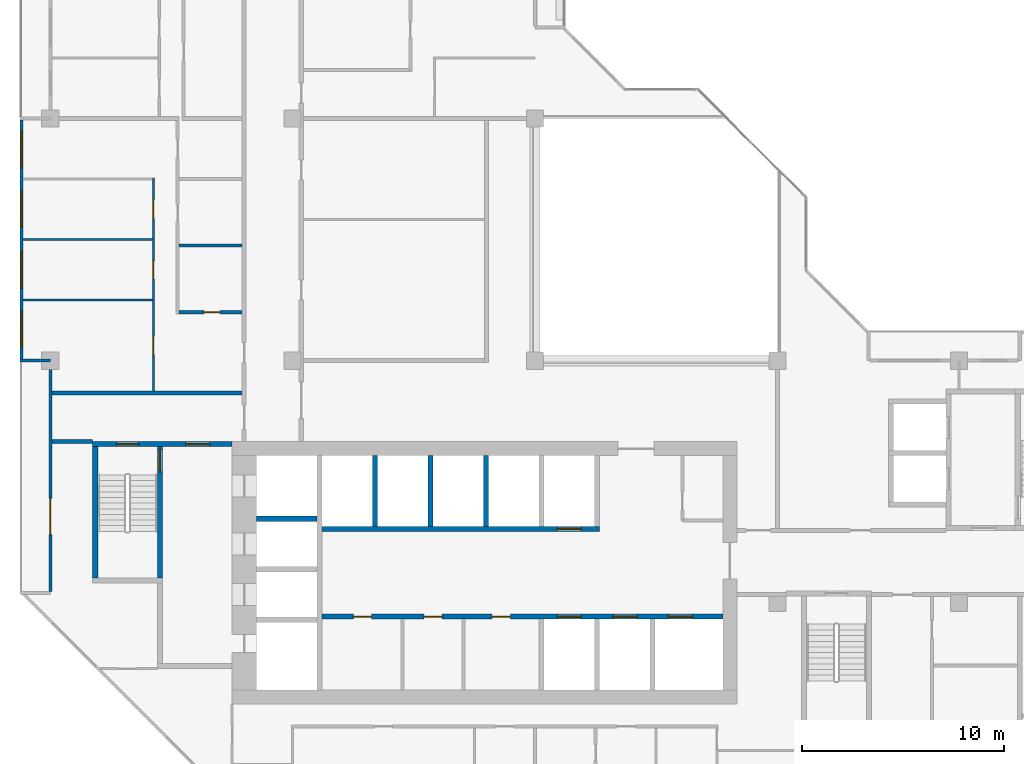
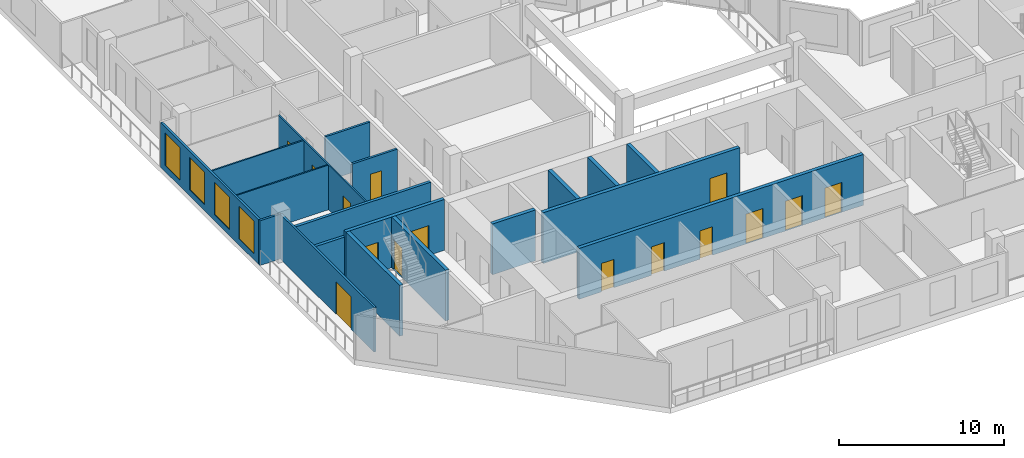
# One storey, part 5 of 15: 19 walls, 15 doors, 4 windows, 19 openings.
"""IFC4 building model written with IfcOpenShell, lengths in metres."""

from ifc_helpers import new_model, si_unit, direction, frame, frame_2d, origin, place, context, subcontext, project, spatial, rectangle, extrude, material, layer, layer_set, type_object, element, fill, save


model = new_model("IFC4")

# Units and contexts
model_context = context("Model", 3, precision=1e-05, world=origin(), true_north=direction((0.0, 1.0)))
body_context = subcontext(model_context, "Body", "Model", "MODEL_VIEW")
ifc_project = project(units=[si_unit("LENGTHUNIT", "METRE"), si_unit("AREAUNIT", "SQUARE_METRE"), si_unit("VOLUMEUNIT", "CUBIC_METRE"), si_unit("PLANEANGLEUNIT", "RADIAN"), si_unit("MASSUNIT", "GRAM", prefix="KILO")], contexts=[model_context])

# Site, building, storey
site_placement = place(None, origin())
site = spatial("IfcSite", under=ifc_project, at=site_placement, CompositionType="ELEMENT")
building_placement = place(site_placement, origin())
building = spatial("IfcBuilding", under=site, at=building_placement, Name="Chenar Terraces", CompositionType="ELEMENT")
storey_placement = place(building_placement, frame((0.0, 0.0, 252.89990234375)))
storey = spatial("IfcBuildingStorey", under=building, at=storey_placement, Name="L60", CompositionType="ELEMENT", Elevation=252.89990234375)

# Wall, openings, doors
ifc_material_1 = material(Name="Concrete C60/75", Category="concrete")
ifc_layer_1 = layer(ifc_material_1, 0.25)
ifc_layer_set_1 = layer_set([ifc_layer_1], Name="Concrete C60/75")
wall_type_1 = type_object("IfcWallType", Name="Core wall 250 Concrete C60/75", PredefinedType="SHEAR", material=ifc_layer_set_1)
wall_1_placement = place(storey_placement, frame((13.449951171875, 11.324951171875, 0.0), z_axis=(0.0, 0.0, 1.0), x_axis=(1.0, 0.0, 0.0)))
wall_1 = element("IfcWall", 1, at=wall_1_placement, inside=storey, type_object=wall_type_1, Name="Core wall SF L60", PredefinedType="SHEAR", context=body_context, shape_type="SweptSolid", body=[
    extrude(rectangle(XDim=19.85009765625, YDim=0.25, at=frame_2d((9.925048828125, 0.0))), origin(), (0.0, 0.0, 1.0), 3.75),
])
opening_1_placement = place(wall_1_placement, frame((11.64990234375, 0.0, 0.0)))
opening_1 = element("IfcOpeningElement", 2, at=opening_1_placement, cuts=wall_1, Name="Opening DL60-LD1", PredefinedType="OPENING", context=body_context, shape_type="SweptSolid", body=[
    extrude(rectangle(XDim=1.199951171875, YDim=2.199951171875, at=frame_2d((0.60009765625, 1.10009765625))), frame((0.0, 0.135009765625, 0.0), z_axis=(0.0, -1.0, 0.0), x_axis=(1.0, 0.0, 0.0)), (0.0, 0.0, 1.0), 0.27001953125),
])
opening_2_placement = place(wall_1_placement, frame((14.39990234375, 0.0, 0.0)))
opening_2 = element("IfcOpeningElement", 3, at=opening_2_placement, cuts=wall_1, Name="Opening DL60-LD2", PredefinedType="OPENING", context=body_context, shape_type="SweptSolid", body=[
    extrude(rectangle(XDim=1.199951171875, YDim=2.199951171875, at=frame_2d((0.60009765625, 1.10009765625))), frame((0.0, 0.135009765625, 0.0), z_axis=(0.0, -1.0, 0.0), x_axis=(1.0, 0.0, 0.0)), (0.0, 0.0, 1.0), 0.27001953125),
])
opening_3_placement = place(wall_1_placement, frame((17.14990234375, 0.0, 0.0)))
opening_3 = element("IfcOpeningElement", 4, at=opening_3_placement, cuts=wall_1, Name="Opening DL60-LD3", PredefinedType="OPENING", context=body_context, shape_type="SweptSolid", body=[
    extrude(rectangle(XDim=1.199951171875, YDim=2.199951171875, at=frame_2d((0.60009765625, 1.10009765625))), frame((0.0, 0.135009765625, 0.0), z_axis=(0.0, -1.0, 0.0), x_axis=(1.0, 0.0, 0.0)), (0.0, 0.0, 1.0), 0.27001953125),
])
opening_4_placement = place(wall_1_placement, frame((1.550048828125, 0.0, 0.0)))
opening_4 = element("IfcOpeningElement", 5, at=opening_4_placement, cuts=wall_1, Name="Opening DL60-C12", PredefinedType="OPENING", context=body_context, shape_type="SweptSolid", body=[
    extrude(rectangle(XDim=0.89990234375, YDim=2.10009765625, at=frame_2d((0.449951171875, 1.050048828125))), frame((0.0, 0.135009765625, 0.0), z_axis=(0.0, -1.0, 0.0), x_axis=(1.0, 0.0, 0.0)), (0.0, 0.0, 1.0), 0.27001953125),
])
opening_5_placement = place(wall_1_placement, frame((5.050048828125, 0.0, 0.0)))
opening_5 = element("IfcOpeningElement", 6, at=opening_5_placement, cuts=wall_1, Name="Opening DL60-C13", PredefinedType="OPENING", context=body_context, shape_type="SweptSolid", body=[
    extrude(rectangle(XDim=0.89990234375, YDim=2.10009765625, at=frame_2d((0.449951171875, 1.050048828125))), frame((0.0, 0.135009765625, 0.0), z_axis=(0.0, -1.0, 0.0), x_axis=(1.0, 0.0, 0.0)), (0.0, 0.0, 1.0), 0.27001953125),
])
opening_6_placement = place(wall_1_placement, frame((8.425048828125, 0.0, 0.0)))
opening_6 = element("IfcOpeningElement", 7, at=opening_6_placement, cuts=wall_1, Name="Opening DL60-C14", PredefinedType="OPENING", context=body_context, shape_type="SweptSolid", body=[
    extrude(rectangle(XDim=0.89990234375, YDim=2.10009765625, at=frame_2d((0.449951171875, 1.050048828125))), frame((0.0, 0.135009765625, 0.0), z_axis=(0.0, -1.0, 0.0), x_axis=(1.0, 0.0, 0.0)), (0.0, 0.0, 1.0), 0.27001953125),
])
ifc_material_2 = material(Name="Stainless steel", Category="steel")
door_type_1 = type_object("IfcDoorType", Name="Lift landing door 1200 x 2200 sliding", OperationType="DOUBLE_DOOR_SLIDING", PredefinedType="DOOR", material=ifc_material_2)
door_1_placement = place(opening_1_placement, origin())
door_1 = element("IfcDoor", 8, at=door_1_placement, inside=storey, type_object=door_type_1, Name="Landing door M1", OperationType="DOUBLE_DOOR_SLIDING", OverallHeight=2.199951171875, OverallWidth=1.199951171875, PredefinedType="DOOR", context=body_context, shape_type="SweptSolid", body=[
    extrude(rectangle(XDim=1.199951171875, YDim=2.199951171875, at=frame_2d((0.60009765625, 1.10009765625))), frame((0.0, 0.02490234375, 0.0), z_axis=(0.0, -1.0, 0.0), x_axis=(1.0, 0.0, 0.0)), (0.0, 0.0, 1.0), 0.050048828125),
])
fill(opening_1, door_1)
door_2_placement = place(opening_2_placement, origin())
door_2 = element("IfcDoor", 9, at=door_2_placement, inside=storey, type_object=door_type_1, Name="Landing door M2", OperationType="DOUBLE_DOOR_SLIDING", OverallHeight=2.199951171875, OverallWidth=1.199951171875, PredefinedType="DOOR", context=body_context, shape_type="SweptSolid", body=[
    extrude(rectangle(XDim=1.199951171875, YDim=2.199951171875, at=frame_2d((0.60009765625, 1.10009765625))), frame((0.0, 0.02490234375, 0.0), z_axis=(0.0, -1.0, 0.0), x_axis=(1.0, 0.0, 0.0)), (0.0, 0.0, 1.0), 0.050048828125),
])
fill(opening_2, door_2)
door_3_placement = place(opening_3_placement, origin())
door_3 = element("IfcDoor", 10, at=door_3_placement, inside=storey, type_object=door_type_1, Name="Landing door M3", OperationType="DOUBLE_DOOR_SLIDING", OverallHeight=2.199951171875, OverallWidth=1.199951171875, PredefinedType="DOOR", context=body_context, shape_type="SweptSolid", body=[
    extrude(rectangle(XDim=1.199951171875, YDim=2.199951171875, at=frame_2d((0.60009765625, 1.10009765625))), frame((0.0, 0.02490234375, 0.0), z_axis=(0.0, -1.0, 0.0), x_axis=(1.0, 0.0, 0.0)), (0.0, 0.0, 1.0), 0.050048828125),
])
fill(opening_3, door_3)
ifc_material_3 = material(Name="Steel-framed fire-resisting door leaf", Category="steel")
door_type_2 = type_object("IfcDoorType", Name="Riser fire door FD60 900 x 2100", OperationType="SINGLE_SWING_LEFT", PredefinedType="DOOR", material=ifc_material_3)
door_4_placement = place(opening_4_placement, frame((0.89990234375, 0.0, 0.0), z_axis=(0.0, 0.0, 1.0), x_axis=(-1.0, 0.0, 0.0)))
door_4 = element("IfcDoor", 11, at=door_4_placement, inside=storey, type_object=door_type_2, Name="Core room door DL60-C12", OperationType="SINGLE_SWING_LEFT", OverallHeight=2.10009765625, OverallWidth=0.89990234375, PredefinedType="DOOR", context=body_context, shape_type="SweptSolid", body=[
    extrude(rectangle(XDim=0.89990234375, YDim=2.10009765625, at=frame_2d((0.449951171875, 1.050048828125))), frame((0.0, 0.02490234375, 0.0), z_axis=(0.0, -1.0, 0.0), x_axis=(1.0, 0.0, 0.0)), (0.0, 0.0, 1.0), 0.050048828125),
])
fill(opening_4, door_4)
door_5_placement = place(opening_5_placement, frame((0.89990234375, 0.0, 0.0), z_axis=(0.0, 0.0, 1.0), x_axis=(-1.0, 0.0, 0.0)))
door_5 = element("IfcDoor", 12, at=door_5_placement, inside=storey, type_object=door_type_2, Name="Core room door DL60-C13", OperationType="SINGLE_SWING_LEFT", OverallHeight=2.10009765625, OverallWidth=0.89990234375, PredefinedType="DOOR", context=body_context, shape_type="SweptSolid", body=[
    extrude(rectangle(XDim=0.89990234375, YDim=2.10009765625, at=frame_2d((0.449951171875, 1.050048828125))), frame((0.0, 0.02490234375, 0.0), z_axis=(0.0, -1.0, 0.0), x_axis=(1.0, 0.0, 0.0)), (0.0, 0.0, 1.0), 0.050048828125),
])
fill(opening_5, door_5)
door_6_placement = place(opening_6_placement, frame((0.89990234375, 0.0, 0.0), z_axis=(0.0, 0.0, 1.0), x_axis=(-1.0, 0.0, 0.0)))
door_6 = element("IfcDoor", 13, at=door_6_placement, inside=storey, type_object=door_type_2, Name="Core room door DL60-C14", OperationType="SINGLE_SWING_RIGHT", OverallHeight=2.10009765625, OverallWidth=0.89990234375, PredefinedType="DOOR", context=body_context, shape_type="SweptSolid", body=[
    extrude(rectangle(XDim=0.89990234375, YDim=2.10009765625, at=frame_2d((0.449951171875, 1.050048828125))), frame((0.0, 0.02490234375, 0.0), z_axis=(0.0, -1.0, 0.0), x_axis=(1.0, 0.0, 0.0)), (0.0, 0.0, 1.0), 0.050048828125),
])
fill(opening_6, door_6)

# Wall, opening, door
wall_2_placement = place(storey_placement, frame((13.449951171875, 15.675048828125, 0.0), z_axis=(0.0, 0.0, 1.0), x_axis=(1.0, 0.0, 0.0)))
wall_2 = element("IfcWall", 14, at=wall_2_placement, inside=storey, type_object=wall_type_1, Name="Core wall NF L60", PredefinedType="SHEAR", context=body_context, shape_type="SweptSolid", body=[
    extrude(rectangle(XDim=13.75, YDim=0.25, at=frame_2d((6.875, 0.0))), origin(), (0.0, 0.0, 1.0), 3.75),
])
opening_7_placement = place(wall_2_placement, frame((11.64990234375, 0.0, 0.0)))
opening_7 = element("IfcOpeningElement", 15, at=opening_7_placement, cuts=wall_2, Name="Opening DL60-LD4", PredefinedType="OPENING", context=body_context, shape_type="SweptSolid", body=[
    extrude(rectangle(XDim=1.199951171875, YDim=2.199951171875, at=frame_2d((0.60009765625, 1.10009765625))), frame((0.0, 0.135009765625, 0.0), z_axis=(0.0, -1.0, 0.0), x_axis=(1.0, 0.0, 0.0)), (0.0, 0.0, 1.0), 0.27001953125),
])
door_7_placement = place(opening_7_placement, origin())
door_7 = element("IfcDoor", 16, at=door_7_placement, inside=storey, type_object=door_type_1, Name="Landing door M4", OperationType="DOUBLE_DOOR_SLIDING", OverallHeight=2.199951171875, OverallWidth=1.199951171875, PredefinedType="DOOR", context=body_context, shape_type="SweptSolid", body=[
    extrude(rectangle(XDim=1.199951171875, YDim=2.199951171875, at=frame_2d((0.60009765625, 1.10009765625))), frame((0.0, 0.02490234375, 0.0), z_axis=(0.0, -1.0, 0.0), x_axis=(1.0, 0.0, 0.0)), (0.0, 0.0, 1.0), 0.050048828125),
])
fill(opening_7, door_7)

# Walls
wall_3_placement = place(storey_placement, frame((10.199951171875, 16.175048828125, 0.0), z_axis=(0.0, 0.0, 1.0), x_axis=(1.0, 0.0, 0.0)))
element("IfcWall", 17, at=wall_3_placement, inside=storey, type_object=wall_type_1, Name="Core wall HW2 L60", PredefinedType="SHEAR", context=body_context, shape_type="SweptSolid", body=[
    extrude(rectangle(XDim=3.0, YDim=0.25, at=frame_2d((1.5, 0.0))), origin(), (0.0, 0.0, 1.0), 3.75),
])
for number, where, z_axis, x_axis, name in (
    (18, (16.074951171875, 15.800048828125, 0.0), (0.0, 0.0, 1.0), (0.0, 1.0, 0.0), "Core wall NS0 L60"),
    (19, (18.824951171875, 15.800048828125, 0.0), (0.0, 0.0, 1.0), (0.0, 1.0, 0.0), "Core wall NS1 L60"),
    (20, (21.574951171875, 15.800048828125, 0.0), (0.0, 0.0, 1.0), (0.0, 1.0, 0.0), "Core wall NS2 L60"),
):
    element("IfcWall", number, at=place(storey_placement, frame(where, z_axis=z_axis, x_axis=x_axis)), inside=storey, type_object=wall_type_1, Name=name, PredefinedType="SHEAR", context=body_context, shape_type="SweptSolid", body=[
        extrude(rectangle(XDim=3.5, YDim=0.25, at=frame_2d((1.75, 0.0))), origin(), (0.0, 0.0, 1.0), 3.75),
    ])

# Wall, openings, doors
wall_4_placement = place(storey_placement, frame((2.10009765625, 19.875, 0.0), z_axis=(0.0, 0.0, 1.0), x_axis=(1.0, 0.0, 0.0)))
wall_4 = element("IfcWall", 21, at=wall_4_placement, inside=storey, type_object=wall_type_1, Name="Core wall A_N L60", PredefinedType="SHEAR", context=body_context, shape_type="SweptSolid", body=[
    extrude(rectangle(XDim=6.89990234375, YDim=0.25, at=frame_2d((3.449951171875, 0.0))), origin(), (0.0, 0.0, 1.0), 3.75),
])
opening_8_placement = place(wall_4_placement, frame((1.175048828125, 0.0, 0.0)))
opening_8 = element("IfcOpeningElement", 22, at=opening_8_placement, cuts=wall_4, Name="Opening DL60-C5", PredefinedType="OPENING", context=body_context, shape_type="SweptSolid", body=[
    extrude(rectangle(XDim=1.10009765625, YDim=2.199951171875, at=frame_2d((0.550048828125, 1.10009765625))), frame((0.0, 0.135009765625, 0.0), z_axis=(0.0, -1.0, 0.0), x_axis=(1.0, 0.0, 0.0)), (0.0, 0.0, 1.0), 0.27001953125),
])
opening_9_placement = place(wall_4_placement, frame((4.60009765625, 0.0, 0.0)))
opening_9 = element("IfcOpeningElement", 23, at=opening_9_placement, cuts=wall_4, Name="Opening DL60-C6", PredefinedType="OPENING", context=body_context, shape_type="SweptSolid", body=[
    extrude(rectangle(XDim=1.199951171875, YDim=2.199951171875, at=frame_2d((0.60009765625, 1.10009765625))), frame((0.0, 0.135009765625, 0.0), z_axis=(0.0, -1.0, 0.0), x_axis=(1.0, 0.0, 0.0)), (0.0, 0.0, 1.0), 0.27001953125),
])
ifc_material_4 = material(Name="Steel-framed fire-resisting door leaf", Category="steel")
door_type_3 = type_object("IfcDoorType", Name="Lobby fire door FD60 1200 x 2200", OperationType="SINGLE_SWING_LEFT", PredefinedType="DOOR", material=ifc_material_4)
door_8_placement = place(opening_9_placement, frame((1.199951171875, 0.0, 0.0), z_axis=(0.0, 0.0, 1.0), x_axis=(-1.0, 0.0, 0.0)))
door_8 = element("IfcDoor", 24, at=door_8_placement, inside=storey, type_object=door_type_3, Name="Core door DL60-C6", OperationType="SINGLE_SWING_LEFT", OverallHeight=2.199951171875, OverallWidth=1.199951171875, PredefinedType="DOOR", context=body_context, shape_type="SweptSolid", body=[
    extrude(rectangle(XDim=1.199951171875, YDim=2.199951171875, at=frame_2d((0.60009765625, 1.10009765625))), frame((0.0, 0.02490234375, 0.0), z_axis=(0.0, -1.0, 0.0), x_axis=(1.0, 0.0, 0.0)), (0.0, 0.0, 1.0), 0.050048828125),
])
fill(opening_9, door_8)
ifc_material_5 = material(Name="Steel-framed fire-resisting door leaf", Category="steel")
door_type_4 = type_object("IfcDoorType", Name="Stair fire door FD60 1100 x 2200", OperationType="SINGLE_SWING_LEFT", PredefinedType="DOOR", material=ifc_material_5)
door_9_placement = place(opening_8_placement, origin())
door_9 = element("IfcDoor", 25, at=door_9_placement, inside=storey, type_object=door_type_4, Name="Stair door DL60-C5", OperationType="SINGLE_SWING_LEFT", OverallHeight=2.199951171875, OverallWidth=1.10009765625, PredefinedType="DOOR", context=body_context, shape_type="SweptSolid", body=[
    extrude(rectangle(XDim=1.10009765625, YDim=2.199951171875, at=frame_2d((0.550048828125, 1.10009765625))), frame((0.0, 0.02490234375, 0.0), z_axis=(0.0, -1.0, 0.0), x_axis=(1.0, 0.0, 0.0)), (0.0, 0.0, 1.0), 0.050048828125),
])
fill(opening_8, door_9)

# Wall
wall_5_placement = place(storey_placement, frame((2.22509765625, 13.25, 0.0), z_axis=(0.0, 0.0, 1.0), x_axis=(0.0, 1.0, 0.0)))
element("IfcWall", 26, at=wall_5_placement, inside=storey, type_object=wall_type_1, Name="Core wall ST1_W L60", PredefinedType="SHEAR", context=body_context, shape_type="SweptSolid", body=[
    extrude(rectangle(XDim=6.5, YDim=0.25, at=frame_2d((3.25, 0.0))), origin(), (0.0, 0.0, 1.0), 3.75),
])

# Wall, opening, door
wall_6_placement = place(storey_placement, frame((5.425048828125, 13.25, 0.0), z_axis=(0.0, 0.0, 1.0), x_axis=(0.0, 1.0, 0.0)))
wall_6 = element("IfcWall", 27, at=wall_6_placement, inside=storey, type_object=wall_type_1, Name="Core wall ST1_E L60", PredefinedType="SHEAR", context=body_context, shape_type="SweptSolid", body=[
    extrude(rectangle(XDim=6.5, YDim=0.25, at=frame_2d((3.25, 0.0))), origin(), (0.0, 0.0, 1.0), 3.75),
])
opening_10_placement = place(wall_6_placement, frame((5.25, 0.0, 0.0)))
opening_10 = element("IfcOpeningElement", 28, at=opening_10_placement, cuts=wall_6, Name="Opening DL60-C3", PredefinedType="OPENING", context=body_context, shape_type="SweptSolid", body=[
    extrude(rectangle(XDim=1.10009765625, YDim=2.199951171875, at=frame_2d((0.550048828125, 1.10009765625))), frame((0.0, 0.135009765625, 0.0), z_axis=(0.0, -1.0, 0.0), x_axis=(1.0, 0.0, 0.0)), (0.0, 0.0, 1.0), 0.27001953125),
])
door_10_placement = place(opening_10_placement, origin())
door_10 = element("IfcDoor", 29, at=door_10_placement, inside=storey, type_object=door_type_4, Name="Stair door DL60-C3", OperationType="SINGLE_SWING_RIGHT", OverallHeight=2.199951171875, OverallWidth=1.10009765625, PredefinedType="DOOR", context=body_context, shape_type="SweptSolid", body=[
    extrude(rectangle(XDim=1.10009765625, YDim=2.199951171875, at=frame_2d((0.550048828125, 1.10009765625))), frame((0.0, 0.02490234375, 0.0), z_axis=(0.0, -1.0, 0.0), x_axis=(1.0, 0.0, 0.0)), (0.0, 0.0, 1.0), 0.050048828125),
])
fill(opening_10, door_10)

# Walls
ifc_material_6 = material(Name="Gypsum board on steel studs with fire boards", Category="steel")
ifc_layer_2 = layer(ifc_material_6, 0.199951171875)
ifc_layer_set_2 = layer_set([ifc_layer_2], Name="Gypsum board on steel studs with fire boards")
wall_type_2 = type_object("IfcWallType", Name="Corridor wall 200", PredefinedType="PARTITIONING", material=ifc_layer_set_2)
wall_7_placement = place(storey_placement, frame((0.073974609375, 20.0, 0.0), z_axis=(0.0, 0.0, 1.0), x_axis=(1.0, 0.0, 0.0)))
element("IfcWall", 30, at=wall_7_placement, inside=storey, type_object=wall_type_2, Name="Partition L60-008", PredefinedType="PARTITIONING", context=body_context, shape_type="SweptSolid", body=[
    extrude(rectangle(XDim=2.026123046875, YDim=0.199951171875, at=frame_2d((1.01318359375, 0.0))), origin(), (0.0, 0.0, 1.0), 3.300048828125),
])
wall_8_placement = place(storey_placement, frame((0.073974609375, 22.39990234375, 0.0), z_axis=(0.0, 0.0, 1.0), x_axis=(1.0, 0.0, 0.0)))
element("IfcWall", 31, at=wall_8_placement, inside=storey, type_object=wall_type_2, Name="Partition L60-009", PredefinedType="PARTITIONING", context=body_context, shape_type="SweptSolid", body=[
    extrude(rectangle(XDim=9.426025390625, YDim=0.199951171875, at=frame_2d((4.712890625, 0.0))), origin(), (0.0, 0.0, 1.0), 3.300048828125),
])

# Wall, openings, windows
ifc_material_7 = material(Name="Aluminium framed glazing", Category="aluminium")
ifc_layer_3 = layer(ifc_material_7, 0.14990234375)
ifc_layer_set_3 = layer_set([ifc_layer_3], Name="Aluminium framed glazing")
wall_type_3 = type_object("IfcWallType", Name="Glazed flush facade wall 150", PredefinedType="SOLIDWALL", material=ifc_layer_set_3)
wall_9_placement = place(storey_placement, frame((-1.425048828125, 35.925048828125, 0.0), z_axis=(0.0, 0.0, 1.0), x_axis=(0.0, -1.0, 0.0)))
wall_9 = element("IfcWall", 32, at=wall_9_placement, inside=storey, type_object=wall_type_3, Name="Glazed flush facade wall", PredefinedType="SOLIDWALL", context=body_context, shape_type="SweptSolid", body=[
    extrude(rectangle(XDim=11.85009765625, YDim=0.14990234375, at=frame_2d((5.925048828125, 0.0))), origin(), (0.0, 0.0, 1.0), 3.300048828125),
])
opening_11_placement = place(wall_9_placement, frame((0.5625, 0.0, 0.449951171875)))
opening_11 = element("IfcOpeningElement", 33, at=opening_11_placement, cuts=wall_9, Name="Opening W180x240", PredefinedType="OPENING", context=body_context, shape_type="SweptSolid", body=[
    extrude(rectangle(XDim=1.800048828125, YDim=2.39990234375, at=frame_2d((0.89990234375, 1.199951171875))), frame((0.0, 0.0849609375, 0.0), z_axis=(0.0, -1.0, 0.0), x_axis=(1.0, 0.0, 0.0)), (0.0, 0.0, 1.0), 0.169921875),
])
opening_12_placement = place(wall_9_placement, frame((3.52490234375, 0.0, 0.449951171875)))
opening_12 = element("IfcOpeningElement", 34, at=opening_12_placement, cuts=wall_9, Name="Opening W180x240", PredefinedType="OPENING", context=body_context, shape_type="SweptSolid", body=[
    extrude(rectangle(XDim=1.800048828125, YDim=2.39990234375, at=frame_2d((0.89990234375, 1.199951171875))), frame((0.0, 0.0849609375, 0.0), z_axis=(0.0, -1.0, 0.0), x_axis=(1.0, 0.0, 0.0)), (0.0, 0.0, 1.0), 0.169921875),
])
opening_13_placement = place(wall_9_placement, frame((6.52490234375, 0.0, 0.449951171875)))
opening_13 = element("IfcOpeningElement", 35, at=opening_13_placement, cuts=wall_9, Name="Opening W180x240", PredefinedType="OPENING", context=body_context, shape_type="SweptSolid", body=[
    extrude(rectangle(XDim=1.800048828125, YDim=2.39990234375, at=frame_2d((0.89990234375, 1.199951171875))), frame((0.0, 0.0849609375, 0.0), z_axis=(0.0, -1.0, 0.0), x_axis=(1.0, 0.0, 0.0)), (0.0, 0.0, 1.0), 0.169921875),
])
opening_14_placement = place(wall_9_placement, frame((9.487548828125, 0.0, 0.449951171875)))
opening_14 = element("IfcOpeningElement", 36, at=opening_14_placement, cuts=wall_9, Name="Opening W180x240", PredefinedType="OPENING", context=body_context, shape_type="SweptSolid", body=[
    extrude(rectangle(XDim=1.800048828125, YDim=2.39990234375, at=frame_2d((0.89990234375, 1.199951171875))), frame((0.0, 0.0849609375, 0.0), z_axis=(0.0, -1.0, 0.0), x_axis=(1.0, 0.0, 0.0)), (0.0, 0.0, 1.0), 0.169921875),
])
ifc_material_8 = material(Name="Low emissivity double glazing, aluminium frame", Category="aluminium")
window_type = type_object("IfcWindowType", Name="Fixed light 1800 x 2400", PartitioningType="SINGLE_PANEL", PredefinedType="WINDOW", material=ifc_material_8)
window_1_placement = place(opening_11_placement, origin())
window_1 = element("IfcWindow", 37, at=window_1_placement, inside=storey, type_object=window_type, Name="Window", OverallHeight=2.39990234375, OverallWidth=1.800048828125, PartitioningType="SINGLE_PANEL", PredefinedType="WINDOW", context=body_context, shape_type="SweptSolid", body=[
    extrude(rectangle(XDim=1.800048828125, YDim=2.39990234375, at=frame_2d((0.89990234375, 1.199951171875))), frame((0.0, 0.030029296875, 0.0), z_axis=(0.0, -1.0, 0.0), x_axis=(1.0, 0.0, 0.0)), (0.0, 0.0, 1.0), 0.06005859375),
])
fill(opening_11, window_1)
window_2_placement = place(opening_12_placement, origin())
window_2 = element("IfcWindow", 38, at=window_2_placement, inside=storey, type_object=window_type, Name="Window", OverallHeight=2.39990234375, OverallWidth=1.800048828125, PartitioningType="SINGLE_PANEL", PredefinedType="WINDOW", context=body_context, shape_type="SweptSolid", body=[
    extrude(rectangle(XDim=1.800048828125, YDim=2.39990234375, at=frame_2d((0.89990234375, 1.199951171875))), frame((0.0, 0.030029296875, 0.0), z_axis=(0.0, -1.0, 0.0), x_axis=(1.0, 0.0, 0.0)), (0.0, 0.0, 1.0), 0.06005859375),
])
fill(opening_12, window_2)
window_3_placement = place(opening_13_placement, origin())
window_3 = element("IfcWindow", 39, at=window_3_placement, inside=storey, type_object=window_type, Name="Window", OverallHeight=2.39990234375, OverallWidth=1.800048828125, PartitioningType="SINGLE_PANEL", PredefinedType="WINDOW", context=body_context, shape_type="SweptSolid", body=[
    extrude(rectangle(XDim=1.800048828125, YDim=2.39990234375, at=frame_2d((0.89990234375, 1.199951171875))), frame((0.0, 0.030029296875, 0.0), z_axis=(0.0, -1.0, 0.0), x_axis=(1.0, 0.0, 0.0)), (0.0, 0.0, 1.0), 0.06005859375),
])
fill(opening_13, window_3)
window_4_placement = place(opening_14_placement, origin())
window_4 = element("IfcWindow", 40, at=window_4_placement, inside=storey, type_object=window_type, Name="Window", OverallHeight=2.39990234375, OverallWidth=1.800048828125, PartitioningType="SINGLE_PANEL", PredefinedType="WINDOW", context=body_context, shape_type="SweptSolid", body=[
    extrude(rectangle(XDim=1.800048828125, YDim=2.39990234375, at=frame_2d((0.89990234375, 1.199951171875))), frame((0.0, 0.030029296875, 0.0), z_axis=(0.0, -1.0, 0.0), x_axis=(1.0, 0.0, 0.0)), (0.0, 0.0, 1.0), 0.06005859375),
])
fill(opening_14, window_4)

# Wall, opening, door
ifc_material_9 = material(Name="Aluminium framed glazing", Category="aluminium")
ifc_layer_4 = layer(ifc_material_9, 0.14990234375)
ifc_layer_set_4 = layer_set([ifc_layer_4], Name="Aluminium framed glazing")
wall_type_4 = type_object("IfcWallType", Name="Glazed loggia back wall 150", PredefinedType="SOLIDWALL", material=ifc_layer_set_4)
wall_10_placement = place(storey_placement, frame((0.0, 23.925048828125, 0.0), z_axis=(0.0, 0.0, 1.0), x_axis=(0.0, -1.0, 0.0)))
wall_10 = element("IfcWall", 41, at=wall_10_placement, inside=storey, type_object=wall_type_4, Name="Glazed loggia back wall", PredefinedType="SOLIDWALL", context=body_context, shape_type="SweptSolid", body=[
    extrude(rectangle(XDim=11.35009765625, YDim=0.14990234375, at=frame_2d((5.675048828125, 0.0))), origin(), (0.0, 0.0, 1.0), 3.300048828125),
])
opening_15_placement = place(wall_10_placement, frame((6.737548828125, 0.0, 0.0)))
opening_15 = element("IfcOpeningElement", 42, at=opening_15_placement, cuts=wall_10, Name="Opening DL60-G4", PredefinedType="OPENING", context=body_context, shape_type="SweptSolid", body=[
    extrude(rectangle(XDim=1.800048828125, YDim=2.39990234375, at=frame_2d((0.89990234375, 1.199951171875))), frame((0.0, 0.0849609375, 0.0), z_axis=(0.0, -1.0, 0.0), x_axis=(1.0, 0.0, 0.0)), (0.0, 0.0, 1.0), 0.169921875),
])
ifc_material_10 = material(Name="Low emissivity double glazing, aluminium frame", Category="aluminium")
door_type_5 = type_object("IfcDoorType", Name="Loggia glazed double door 1800 x 2400", OperationType="DOUBLE_DOOR_SINGLE_SWING", PredefinedType="DOOR", material=ifc_material_10)
door_11_placement = place(opening_15_placement, frame((1.800048828125, 0.0, 0.0), z_axis=(0.0, 0.0, 1.0), x_axis=(-1.0, 0.0, 0.0)))
door_11 = element("IfcDoor", 43, at=door_11_placement, inside=storey, type_object=door_type_5, Name="Loggia glazed door", OperationType="DOUBLE_DOOR_SINGLE_SWING", OverallHeight=2.39990234375, OverallWidth=1.800048828125, PredefinedType="DOOR", context=body_context, shape_type="SweptSolid", body=[
    extrude(rectangle(XDim=1.800048828125, YDim=2.39990234375, at=frame_2d((0.89990234375, 1.199951171875))), frame((0.0, 0.02490234375, 0.0), z_axis=(0.0, -1.0, 0.0), x_axis=(1.0, 0.0, 0.0)), (0.0, 0.0, 1.0), 0.050048828125),
])
fill(opening_15, door_11)

# Walls
ifc_material_11 = material(Name="Gypsum board on steel studs", Category="steel")
ifc_layer_5 = layer(ifc_material_11, 0.10009765625)
ifc_layer_set_5 = layer_set([ifc_layer_5], Name="Gypsum board on steel studs")
wall_type_5 = type_object("IfcWallType", Name="Gypsum partition 100", PredefinedType="PARTITIONING", material=ifc_layer_set_5)
for number, where, z_axis, x_axis, name in (
    (44, (-1.35107421875, 27.0, 0.0), (0.0, 0.0, 1.0), (1.0, 0.0, 0.0), "Partition L60-001"),
    (45, (-1.35107421875, 30.0, 0.0), (0.0, 0.0, 1.0), (1.0, 0.0, 0.0), "Partition L60-002"),
):
    element("IfcWall", number, at=place(storey_placement, frame(where, z_axis=z_axis, x_axis=x_axis)), inside=storey, type_object=wall_type_5, Name=name, PredefinedType="PARTITIONING", context=body_context, shape_type="SweptSolid", body=[
        extrude(rectangle(XDim=6.401123046875, YDim=0.10009765625, at=frame_2d((3.20068359375, 0.0))), origin(), (0.0, 0.0, 1.0), 3.300048828125),
    ])

# Wall, openings, doors
wall_11_placement = place(storey_placement, frame((5.10009765625, 22.5, 0.0), z_axis=(0.0, 0.0, 1.0), x_axis=(0.0, 1.0, 0.0)))
wall_11 = element("IfcWall", 46, at=wall_11_placement, inside=storey, type_object=wall_type_5, Name="Partition L60-014", PredefinedType="PARTITIONING", context=body_context, shape_type="SweptSolid", body=[
    extrude(rectangle(XDim=10.550048828125, YDim=0.10009765625, at=frame_2d((5.27490234375, 0.0))), origin(), (0.0, 0.0, 1.0), 3.300048828125),
])
opening_16_placement = place(wall_11_placement, frame((1.800048828125, 0.0, 0.0)))
opening_16 = element("IfcOpeningElement", 47, at=opening_16_placement, cuts=wall_11, Name="Opening DL60-61", PredefinedType="OPENING", context=body_context, shape_type="SweptSolid", body=[
    extrude(rectangle(XDim=0.89990234375, YDim=2.10009765625, at=frame_2d((0.449951171875, 1.050048828125))), frame((0.0, 0.06005859375, 0.0), z_axis=(0.0, -1.0, 0.0), x_axis=(1.0, 0.0, 0.0)), (0.0, 0.0, 1.0), 0.1201171875),
])
opening_17_placement = place(wall_11_placement, frame((5.550048828125, 0.0, 0.0)))
opening_17 = element("IfcOpeningElement", 48, at=opening_17_placement, cuts=wall_11, Name="Opening DL60-62", PredefinedType="OPENING", context=body_context, shape_type="SweptSolid", body=[
    extrude(rectangle(XDim=0.89990234375, YDim=2.10009765625, at=frame_2d((0.449951171875, 1.050048828125))), frame((0.0, 0.06005859375, 0.0), z_axis=(0.0, -1.0, 0.0), x_axis=(1.0, 0.0, 0.0)), (0.0, 0.0, 1.0), 0.1201171875),
])
opening_18_placement = place(wall_11_placement, frame((8.550048828125, 0.0, 0.0)))
opening_18 = element("IfcOpeningElement", 49, at=opening_18_placement, cuts=wall_11, Name="Opening DL60-63", PredefinedType="OPENING", context=body_context, shape_type="SweptSolid", body=[
    extrude(rectangle(XDim=0.89990234375, YDim=2.10009765625, at=frame_2d((0.449951171875, 1.050048828125))), frame((0.0, 0.06005859375, 0.0), z_axis=(0.0, -1.0, 0.0), x_axis=(1.0, 0.0, 0.0)), (0.0, 0.0, 1.0), 0.1201171875),
])
ifc_material_12 = material(Name="Veneered timber door leaf", Category="wood")
door_type_6 = type_object("IfcDoorType", Name="Door 900 x 2100", OperationType="SINGLE_SWING_LEFT", PredefinedType="DOOR", material=ifc_material_12)
door_12_placement = place(opening_16_placement, origin())
door_12 = element("IfcDoor", 50, at=door_12_placement, inside=storey, type_object=door_type_6, Name="Door DL60-61", OperationType="SINGLE_SWING_RIGHT", OverallHeight=2.10009765625, OverallWidth=0.89990234375, PredefinedType="DOOR", context=body_context, shape_type="SweptSolid", body=[
    extrude(rectangle(XDim=0.89990234375, YDim=2.10009765625, at=frame_2d((0.449951171875, 1.050048828125))), frame((0.0, 0.02490234375, 0.0), z_axis=(0.0, -1.0, 0.0), x_axis=(1.0, 0.0, 0.0)), (0.0, 0.0, 1.0), 0.050048828125),
])
fill(opening_16, door_12)
door_13_placement = place(opening_17_placement, origin())
door_13 = element("IfcDoor", 51, at=door_13_placement, inside=storey, type_object=door_type_6, Name="Door DL60-62", OperationType="SINGLE_SWING_RIGHT", OverallHeight=2.10009765625, OverallWidth=0.89990234375, PredefinedType="DOOR", context=body_context, shape_type="SweptSolid", body=[
    extrude(rectangle(XDim=0.89990234375, YDim=2.10009765625, at=frame_2d((0.449951171875, 1.050048828125))), frame((0.0, 0.02490234375, 0.0), z_axis=(0.0, -1.0, 0.0), x_axis=(1.0, 0.0, 0.0)), (0.0, 0.0, 1.0), 0.050048828125),
])
fill(opening_17, door_13)
door_14_placement = place(opening_18_placement, origin())
door_14 = element("IfcDoor", 52, at=door_14_placement, inside=storey, type_object=door_type_6, Name="Door DL60-63", OperationType="SINGLE_SWING_RIGHT", OverallHeight=2.10009765625, OverallWidth=0.89990234375, PredefinedType="DOOR", context=body_context, shape_type="SweptSolid", body=[
    extrude(rectangle(XDim=0.89990234375, YDim=2.10009765625, at=frame_2d((0.449951171875, 1.050048828125))), frame((0.0, 0.02490234375, 0.0), z_axis=(0.0, -1.0, 0.0), x_axis=(1.0, 0.0, 0.0)), (0.0, 0.0, 1.0), 0.050048828125),
])
fill(opening_18, door_14)

# Wall
ifc_material_13 = material(Name="Terracotta cladding on insulated backing", Category="masonry")
ifc_layer_6 = layer(ifc_material_13, 0.14990234375)
ifc_layer_set_6 = layer_set([ifc_layer_6], Name="Terracotta cladding on insulated backing")
wall_type_6 = type_object("IfcWallType", Name="Loggia return wall 150", PredefinedType="SOLIDWALL", material=ifc_layer_set_6)
wall_12_placement = place(storey_placement, frame((-1.5, 24.0, 0.0), z_axis=(0.0, 0.0, 1.0), x_axis=(1.0, 0.0, 0.0)))
element("IfcWall", 53, at=wall_12_placement, inside=storey, type_object=wall_type_6, Name="Loggia return wall", PredefinedType="SOLIDWALL", context=body_context, shape_type="SweptSolid", body=[
    extrude(rectangle(XDim=1.5, YDim=0.14990234375, at=frame_2d((0.75, 0.0))), origin(), (0.0, 0.0, 1.0), 3.300048828125),
])

# Wall, opening, door
ifc_material_14 = material(Name="Moisture-resistant gypsum board on steel studs", Category="steel")
ifc_layer_7 = layer(ifc_material_14, 0.14990234375)
ifc_layer_set_7 = layer_set([ifc_layer_7], Name="Moisture-resistant gypsum board on steel studs")
wall_type_7 = type_object("IfcWallType", Name="Wet-room partition 150", PredefinedType="PARTITIONING", material=ifc_layer_set_7)
wall_13_placement = place(storey_placement, frame((6.375, 26.39990234375, 0.0), z_axis=(0.0, 0.0, 1.0), x_axis=(1.0, 0.0, 0.0)))
wall_13 = element("IfcWall", 54, at=wall_13_placement, inside=storey, type_object=wall_type_7, Name="Partition L60-018", PredefinedType="PARTITIONING", context=body_context, shape_type="SweptSolid", body=[
    extrude(rectangle(XDim=3.125, YDim=0.14990234375, at=frame_2d((1.5625, 0.0))), origin(), (0.0, 0.0, 1.0), 3.300048828125),
])
opening_19_placement = place(wall_13_placement, frame((1.22509765625, 0.0, 0.0)))
opening_19 = element("IfcOpeningElement", 55, at=opening_19_placement, cuts=wall_13, Name="Opening DL60-66", PredefinedType="OPENING", context=body_context, shape_type="SweptSolid", body=[
    extrude(rectangle(XDim=0.800048828125, YDim=2.10009765625, at=frame_2d((0.39990234375, 1.050048828125))), frame((0.0, 0.0849609375, 0.0), z_axis=(0.0, -1.0, 0.0), x_axis=(1.0, 0.0, 0.0)), (0.0, 0.0, 1.0), 0.169921875),
])
ifc_material_15 = material(Name="Veneered timber door leaf", Category="wood")
door_type_7 = type_object("IfcDoorType", Name="Door 800 x 2100", OperationType="SINGLE_SWING_LEFT", PredefinedType="DOOR", material=ifc_material_15)
door_15_placement = place(opening_19_placement, origin())
door_15 = element("IfcDoor", 56, at=door_15_placement, inside=storey, type_object=door_type_7, Name="Door DL60-66", OperationType="SINGLE_SWING_RIGHT", OverallHeight=2.10009765625, OverallWidth=0.800048828125, PredefinedType="DOOR", context=body_context, shape_type="SweptSolid", body=[
    extrude(rectangle(XDim=0.800048828125, YDim=2.10009765625, at=frame_2d((0.39990234375, 1.050048828125))), frame((0.0, 0.02490234375, 0.0), z_axis=(0.0, -1.0, 0.0), x_axis=(1.0, 0.0, 0.0)), (0.0, 0.0, 1.0), 0.050048828125),
])
fill(opening_19, door_15)

# Wall
wall_14_placement = place(storey_placement, frame((6.375, 29.699951171875, 0.0), z_axis=(0.0, 0.0, 1.0), x_axis=(1.0, 0.0, 0.0)))
element("IfcWall", 57, at=wall_14_placement, inside=storey, type_object=wall_type_7, Name="Partition L60-019", PredefinedType="PARTITIONING", context=body_context, shape_type="SweptSolid", body=[
    extrude(rectangle(XDim=3.125, YDim=0.14990234375, at=frame_2d((1.5625, 0.0))), origin(), (0.0, 0.0, 1.0), 3.300048828125),
])

save(model, "model.ifc")
